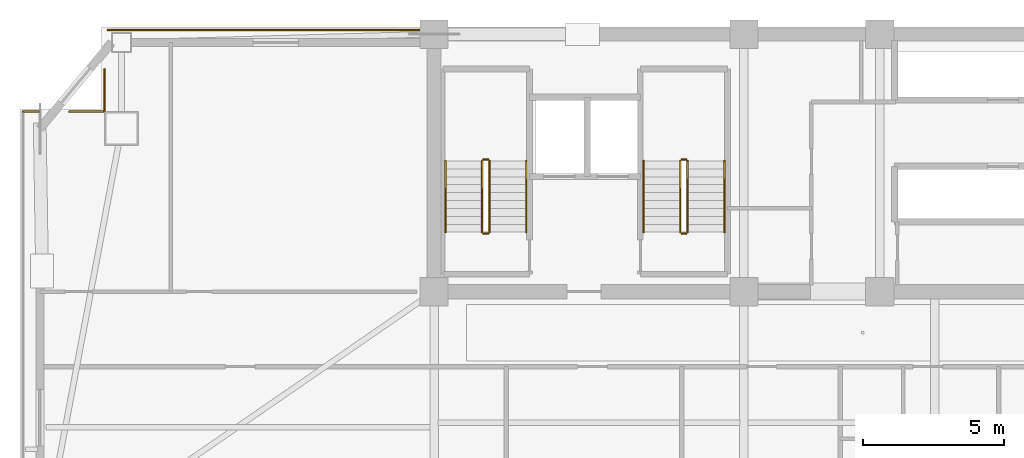
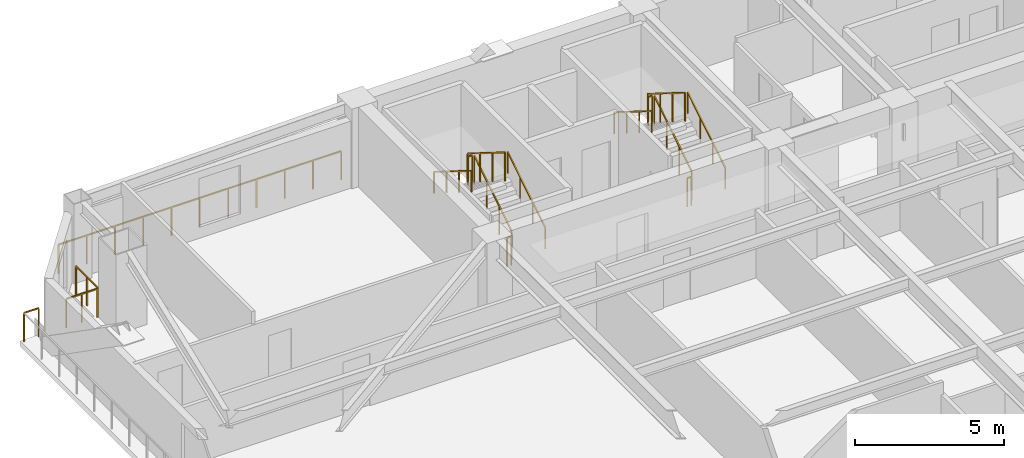
# One storey, part 14 of 15: 16 railings.
"""IFC4 building model written with IfcOpenShell, lengths in metres."""

from ifc_helpers import new_model, si_unit, direction, frame, origin, origin_2d, place, context, subcontext, project, spatial, rectangle, extrude, material, type_object, element, save


model = new_model("IFC4")

# Units and contexts
model_context = context("Model", 3, precision=1e-05, world=origin(), true_north=direction((0.0, 1.0)))
body_context = subcontext(model_context, "Body", "Model", "MODEL_VIEW")
ifc_project = project(units=[si_unit("LENGTHUNIT", "METRE"), si_unit("AREAUNIT", "SQUARE_METRE"), si_unit("VOLUMEUNIT", "CUBIC_METRE"), si_unit("PLANEANGLEUNIT", "RADIAN"), si_unit("MASSUNIT", "GRAM", prefix="KILO")], contexts=[model_context])

# Site, building, storey
site_placement = place(None, origin())
site = spatial("IfcSite", under=ifc_project, at=site_placement, CompositionType="ELEMENT")
building_placement = place(site_placement, origin())
building = spatial("IfcBuilding", under=site, at=building_placement, Name="Giltprow Tower", CompositionType="ELEMENT")
storey_placement = place(building_placement, frame((0.0, 0.0, 170.199951171875)))
storey = spatial("IfcBuildingStorey", under=building, at=storey_placement, Name="L42", CompositionType="ELEMENT", Elevation=170.199951171875)

# Railings
ifc_material = material(Name="Anodized bronze", Category="metal")
railing_type_1 = type_object("IfcRailingType", Name="RAIL-BALC-GUARD-1200", PredefinedType="BALUSTRADE", material=ifc_material)
railing_1_placement = place(storey_placement, frame((5.319091796875, 43.81298828125, 0.0)))
element("IfcRailing", 1, at=railing_1_placement, inside=storey, type_object=railing_type_1, Name="L42 Corner Apron Edge Balustrade 6", PredefinedType="BALUSTRADE", context=body_context, shape_type="SweptSolid", body=[
    extrude(rectangle(XDim=0.048095703125, YDim=0.048095703125, at=origin_2d()), frame((0.0, 0.0, 1.17578125), z_axis=(1.0, 0.0, 0.0), x_axis=(0.0, 1.0, 0.0)), (0.0, 0.0, 1.0), 0.56689453125),
    extrude(rectangle(XDim=0.0419921875, YDim=0.0419921875, at=origin_2d()), origin(), (0.0, 0.0, 1.0), 1.15185546875),
    extrude(rectangle(XDim=0.0419921875, YDim=0.0419921875, at=origin_2d()), frame((0.56689453125, 0.0, 0.0)), (0.0, 0.0, 1.0), 1.15185546875),
])
railing_2_placement = place(storey_placement, frame((6.9541015625, 43.81298828125, 0.0)))
element("IfcRailing", 2, at=railing_2_placement, inside=storey, type_object=railing_type_1, Name="L42 Corner Apron Edge Balustrade 7", PredefinedType="BALUSTRADE", context=body_context, shape_type="SweptSolid", body=[
    extrude(rectangle(XDim=0.048095703125, YDim=0.048095703125, at=origin_2d()), frame((0.0, 0.0, 1.17578125), z_axis=(1.0, 0.0, 0.0), x_axis=(0.0, 1.0, 0.0)), (0.0, 0.0, 1.0), 1.216796875),
    extrude(rectangle(XDim=0.0419921875, YDim=0.0419921875, at=origin_2d()), origin(), (0.0, 0.0, 1.0), 1.15185546875),
    extrude(rectangle(XDim=0.0419921875, YDim=0.0419921875, at=origin_2d()), frame((0.6083984375, 0.0, 0.0)), (0.0, 0.0, 1.0), 1.15185546875),
    extrude(rectangle(XDim=0.0419921875, YDim=0.0419921875, at=origin_2d()), frame((1.216796875, 0.0, 0.0)), (0.0, 0.0, 1.0), 1.15185546875),
])
railing_3_placement = place(storey_placement, frame((8.2060546875, 43.847900390625, 0.0)))
element("IfcRailing", 3, at=railing_3_placement, inside=storey, type_object=railing_type_1, Name="L42 Corner Apron Edge Balustrade 8", PredefinedType="BALUSTRADE", context=body_context, shape_type="SweptSolid", body=[
    extrude(rectangle(XDim=0.048095703125, YDim=0.048095703125, at=origin_2d()), frame((0.0, 0.0, 1.17578125), z_axis=(0.0, 1.0, 0.0), x_axis=(-1.0, 0.0, 0.0)), (0.0, 0.0, 1.0), 1.463134765625),
    extrude(rectangle(XDim=0.0419921875, YDim=0.0419921875, at=origin_2d()), origin(), (0.0, 0.0, 1.0), 1.15185546875),
    extrude(rectangle(XDim=0.0419921875, YDim=0.0419921875, at=origin_2d()), frame((0.0, 0.7314453125, 0.0)), (0.0, 0.0, 1.0), 1.15185546875),
    extrude(rectangle(XDim=0.0419921875, YDim=0.0419921875, at=origin_2d()), frame((0.0, 1.463134765625, 0.0)), (0.0, 0.0, 1.0), 1.15185546875),
])
railing_4_placement = place(storey_placement, frame((8.322998046875, 46.699951171875, 0.0)))
element("IfcRailing", 4, at=railing_4_placement, inside=storey, type_object=railing_type_1, Name="L42 Corner Apron Edge Balustrade 9", PredefinedType="BALUSTRADE", context=body_context, shape_type="SweptSolid", body=[
    extrude(rectangle(XDim=0.048095703125, YDim=0.048095703125, at=origin_2d()), frame((0.0, 0.0, 1.17578125), z_axis=(1.0, 0.0, 0.0), x_axis=(0.0, 1.0, 0.0)), (0.0, 0.0, 1.0), 10.991943359375),
    extrude(rectangle(XDim=0.0419921875, YDim=0.0419921875, at=origin_2d()), origin(), (0.0, 0.0, 1.0), 1.15185546875),
    extrude(rectangle(XDim=0.0419921875, YDim=0.0419921875, at=origin_2d()), frame((1.09912109375, 0.0, 0.0)), (0.0, 0.0, 1.0), 1.15185546875),
    extrude(rectangle(XDim=0.0419921875, YDim=0.0419921875, at=origin_2d()), frame((2.198486328125, 0.0, 0.0)), (0.0, 0.0, 1.0), 1.15185546875),
    extrude(rectangle(XDim=0.0419921875, YDim=0.0419921875, at=origin_2d()), frame((3.297607421875, 0.0, 0.0)), (0.0, 0.0, 1.0), 1.15185546875),
    extrude(rectangle(XDim=0.0419921875, YDim=0.0419921875, at=origin_2d()), frame((4.396728515625, 0.0, 0.0)), (0.0, 0.0, 1.0), 1.15185546875),
    extrude(rectangle(XDim=0.0419921875, YDim=0.0419921875, at=origin_2d()), frame((5.49609375, 0.0, 0.0)), (0.0, 0.0, 1.0), 1.15185546875),
    extrude(rectangle(XDim=0.0419921875, YDim=0.0419921875, at=origin_2d()), frame((6.59521484375, 0.0, 0.0)), (0.0, 0.0, 1.0), 1.15185546875),
    extrude(rectangle(XDim=0.0419921875, YDim=0.0419921875, at=origin_2d()), frame((7.6943359375, 0.0, 0.0)), (0.0, 0.0, 1.0), 1.15185546875),
    extrude(rectangle(XDim=0.0419921875, YDim=0.0419921875, at=origin_2d()), frame((8.79345703125, 0.0, 0.0)), (0.0, 0.0, 1.0), 1.15185546875),
    extrude(rectangle(XDim=0.0419921875, YDim=0.0419921875, at=origin_2d()), frame((9.892822265625, 0.0, 0.0)), (0.0, 0.0, 1.0), 1.15185546875),
    extrude(rectangle(XDim=0.0419921875, YDim=0.0419921875, at=origin_2d()), frame((10.991943359375, 0.0, 0.0)), (0.0, 0.0, 1.0), 1.15185546875),
])
railing_type_2 = type_object("IfcRailingType", Name="RAIL-STAIR-GUARD-1200", PredefinedType="GUARDRAIL", material=ifc_material)
railing_5_placement = place(storey_placement, frame((21.81005859375, 39.550048828125, 0.175048828125)))
element("IfcRailing", 5, at=railing_5_placement, inside=storey, type_object=railing_type_2, Name="L42 ST-1 stair guard 1", PredefinedType="GUARDRAIL", context=body_context, shape_type="SweptSolid", body=[
    extrude(rectangle(XDim=0.048095703125, YDim=0.048095703125, at=origin_2d()), frame((0.0, 0.0, 1.17578125), z_axis=(0.0, 0.848007534815, 0.529984170421), x_axis=(-1.0, 0.0, 0.0)), (0.0, 0.0, 1.0), 2.9716796875),
    extrude(rectangle(XDim=0.0419921875, YDim=0.0419921875, at=origin_2d()), origin(), (0.0, 0.0, 1.0), 1.15185546875),
    extrude(rectangle(XDim=0.0419921875, YDim=0.0419921875, at=origin_2d()), frame((0.0, 0.840087890625, 0.52490234375)), (0.0, 0.0, 1.0), 1.15185546875),
    extrude(rectangle(XDim=0.0419921875, YDim=0.0419921875, at=origin_2d()), frame((0.0, 1.679931640625, 1.050048828125)), (0.0, 0.0, 1.0), 1.15185546875),
    extrude(rectangle(XDim=0.0419921875, YDim=0.0419921875, at=origin_2d()), frame((0.0, 2.52001953125, 1.574951171875)), (0.0, 0.0, 1.0), 1.15185546875),
])
railing_6_placement = place(storey_placement, frame((21.760009765625, 42.1201171875, 1.75)))
element("IfcRailing", 6, at=railing_6_placement, inside=storey, type_object=railing_type_2, Name="L42 ST-1 stair guard 2", PredefinedType="GUARDRAIL", context=body_context, shape_type="SweptSolid", body=[
    extrude(rectangle(XDim=0.048095703125, YDim=0.048095703125, at=origin_2d()), frame((0.0, 0.0, 1.17578125), z_axis=(-1.0, 0.0, 0.0), x_axis=(0.0, -1.0, 0.0)), (0.0, 0.0, 1.0), 0.159912109375),
    extrude(rectangle(XDim=0.0419921875, YDim=0.0419921875, at=origin_2d()), origin(), (0.0, 0.0, 1.0), 1.15185546875),
    extrude(rectangle(XDim=0.0419921875, YDim=0.0419921875, at=origin_2d()), frame((-0.159912109375, 0.0, 0.0)), (0.0, 0.0, 1.0), 1.15185546875),
])
railing_7_placement = place(storey_placement, frame((21.550048828125, 42.070068359375, 1.925048828125)))
element("IfcRailing", 7, at=railing_7_placement, inside=storey, type_object=railing_type_2, Name="L42 ST-1 stair guard 3", PredefinedType="GUARDRAIL", context=body_context, shape_type="SweptSolid", body=[
    extrude(rectangle(XDim=0.048095703125, YDim=0.048095703125, at=origin_2d()), frame((0.0, 0.0, 1.17578125), z_axis=(0.0, -0.848007534815, 0.529984170421), x_axis=(1.0, 0.0, 0.0)), (0.0, 0.0, 1.0), 2.9716796875),
    extrude(rectangle(XDim=0.0419921875, YDim=0.0419921875, at=origin_2d()), origin(), (0.0, 0.0, 1.0), 1.15185546875),
    extrude(rectangle(XDim=0.0419921875, YDim=0.0419921875, at=origin_2d()), frame((0.0, -0.840087890625, 0.52490234375)), (0.0, 0.0, 1.0), 1.15185546875),
    extrude(rectangle(XDim=0.0419921875, YDim=0.0419921875, at=origin_2d()), frame((0.0, -1.679931640625, 1.050048828125)), (0.0, 0.0, 1.0), 1.15185546875),
    extrude(rectangle(XDim=0.0419921875, YDim=0.0419921875, at=origin_2d()), frame((0.0, -2.52001953125, 1.574951171875)), (0.0, 0.0, 1.0), 1.15185546875),
])
railing_8_placement = place(storey_placement, frame((21.760009765625, 39.5, 0.0)))
element("IfcRailing", 8, at=railing_8_placement, inside=storey, type_object=railing_type_2, Name="L42 ST-1 stair guard 4", PredefinedType="GUARDRAIL", context=body_context, shape_type="SweptSolid", body=[
    extrude(rectangle(XDim=0.048095703125, YDim=0.048095703125, at=origin_2d()), frame((0.0, 0.0, 1.17578125), z_axis=(-1.0, 0.0, 0.0), x_axis=(0.0, -1.0, 0.0)), (0.0, 0.0, 1.0), 0.159912109375),
    extrude(rectangle(XDim=0.0419921875, YDim=0.0419921875, at=origin_2d()), origin(), (0.0, 0.0, 1.0), 1.15185546875),
    extrude(rectangle(XDim=0.0419921875, YDim=0.0419921875, at=origin_2d()), frame((-0.159912109375, 0.0, 0.0)), (0.0, 0.0, 1.0), 1.15185546875),
])
railing_9_placement = place(storey_placement, frame((28.81005859375, 39.550048828125, 0.175048828125)))
element("IfcRailing", 9, at=railing_9_placement, inside=storey, type_object=railing_type_2, Name="L42 ST-2 stair guard 1", PredefinedType="GUARDRAIL", context=body_context, shape_type="SweptSolid", body=[
    extrude(rectangle(XDim=0.048095703125, YDim=0.048095703125, at=origin_2d()), frame((0.0, 0.0, 1.17578125), z_axis=(0.0, 0.848007534815, 0.529984170421), x_axis=(-1.0, 0.0, 0.0)), (0.0, 0.0, 1.0), 2.9716796875),
    extrude(rectangle(XDim=0.0419921875, YDim=0.0419921875, at=origin_2d()), origin(), (0.0, 0.0, 1.0), 1.15185546875),
    extrude(rectangle(XDim=0.0419921875, YDim=0.0419921875, at=origin_2d()), frame((0.0, 0.840087890625, 0.52490234375)), (0.0, 0.0, 1.0), 1.15185546875),
    extrude(rectangle(XDim=0.0419921875, YDim=0.0419921875, at=origin_2d()), frame((0.0, 1.679931640625, 1.050048828125)), (0.0, 0.0, 1.0), 1.15185546875),
    extrude(rectangle(XDim=0.0419921875, YDim=0.0419921875, at=origin_2d()), frame((0.0, 2.52001953125, 1.574951171875)), (0.0, 0.0, 1.0), 1.15185546875),
])
railing_10_placement = place(storey_placement, frame((28.760009765625, 42.1201171875, 1.75)))
element("IfcRailing", 10, at=railing_10_placement, inside=storey, type_object=railing_type_2, Name="L42 ST-2 stair guard 2", PredefinedType="GUARDRAIL", context=body_context, shape_type="SweptSolid", body=[
    extrude(rectangle(XDim=0.048095703125, YDim=0.048095703125, at=origin_2d()), frame((0.0, 0.0, 1.17578125), z_axis=(-1.0, 0.0, 0.0), x_axis=(0.0, -1.0, 0.0)), (0.0, 0.0, 1.0), 0.159912109375),
    extrude(rectangle(XDim=0.0419921875, YDim=0.0419921875, at=origin_2d()), origin(), (0.0, 0.0, 1.0), 1.15185546875),
    extrude(rectangle(XDim=0.0419921875, YDim=0.0419921875, at=origin_2d()), frame((-0.159912109375, 0.0, 0.0)), (0.0, 0.0, 1.0), 1.15185546875),
])
railing_11_placement = place(storey_placement, frame((28.550048828125, 42.070068359375, 1.925048828125)))
element("IfcRailing", 11, at=railing_11_placement, inside=storey, type_object=railing_type_2, Name="L42 ST-2 stair guard 3", PredefinedType="GUARDRAIL", context=body_context, shape_type="SweptSolid", body=[
    extrude(rectangle(XDim=0.048095703125, YDim=0.048095703125, at=origin_2d()), frame((0.0, 0.0, 1.17578125), z_axis=(0.0, -0.848007534815, 0.529984170421), x_axis=(1.0, 0.0, 0.0)), (0.0, 0.0, 1.0), 2.9716796875),
    extrude(rectangle(XDim=0.0419921875, YDim=0.0419921875, at=origin_2d()), origin(), (0.0, 0.0, 1.0), 1.15185546875),
    extrude(rectangle(XDim=0.0419921875, YDim=0.0419921875, at=origin_2d()), frame((0.0, -0.840087890625, 0.52490234375)), (0.0, 0.0, 1.0), 1.15185546875),
    extrude(rectangle(XDim=0.0419921875, YDim=0.0419921875, at=origin_2d()), frame((0.0, -1.679931640625, 1.050048828125)), (0.0, 0.0, 1.0), 1.15185546875),
    extrude(rectangle(XDim=0.0419921875, YDim=0.0419921875, at=origin_2d()), frame((0.0, -2.52001953125, 1.574951171875)), (0.0, 0.0, 1.0), 1.15185546875),
])
railing_12_placement = place(storey_placement, frame((28.760009765625, 39.5, 0.0)))
element("IfcRailing", 12, at=railing_12_placement, inside=storey, type_object=railing_type_2, Name="L42 ST-2 stair guard 4", PredefinedType="GUARDRAIL", context=body_context, shape_type="SweptSolid", body=[
    extrude(rectangle(XDim=0.048095703125, YDim=0.048095703125, at=origin_2d()), frame((0.0, 0.0, 1.17578125), z_axis=(-1.0, 0.0, 0.0), x_axis=(0.0, -1.0, 0.0)), (0.0, 0.0, 1.0), 0.159912109375),
    extrude(rectangle(XDim=0.0419921875, YDim=0.0419921875, at=origin_2d()), origin(), (0.0, 0.0, 1.0), 1.15185546875),
    extrude(rectangle(XDim=0.0419921875, YDim=0.0419921875, at=origin_2d()), frame((-0.159912109375, 0.0, 0.0)), (0.0, 0.0, 1.0), 1.15185546875),
])
railing_type_3 = type_object("IfcRailingType", Name="RAIL-STAIR-HAND-900", PredefinedType="HANDRAIL", material=ifc_material)
railing_13_placement = place(storey_placement, frame((23.110107421875, 39.550048828125, 0.175048828125)))
element("IfcRailing", 13, at=railing_13_placement, inside=storey, type_object=railing_type_3, Name="L42 ST-1 stair handrail 1", PredefinedType="HANDRAIL", context=body_context, shape_type="SweptSolid", body=[
    extrude(rectangle(XDim=0.048095703125, YDim=0.048095703125, at=origin_2d()), frame((0.0, 0.0, 0.8759765625), z_axis=(0.0, 0.848007534815, 0.529984170421), x_axis=(-1.0, 0.0, 0.0)), (0.0, 0.0, 1.0), 2.9716796875),
    extrude(rectangle(XDim=0.0419921875, YDim=0.0419921875, at=origin_2d()), origin(), (0.0, 0.0, 1.0), 0.851806640625),
    extrude(rectangle(XDim=0.0419921875, YDim=0.0419921875, at=origin_2d()), frame((0.0, 0.840087890625, 0.52490234375)), (0.0, 0.0, 1.0), 0.851806640625),
    extrude(rectangle(XDim=0.0419921875, YDim=0.0419921875, at=origin_2d()), frame((0.0, 1.679931640625, 1.050048828125)), (0.0, 0.0, 1.0), 0.851806640625),
    extrude(rectangle(XDim=0.0419921875, YDim=0.0419921875, at=origin_2d()), frame((0.0, 2.52001953125, 1.574951171875)), (0.0, 0.0, 1.0), 0.851806640625),
])
railing_14_placement = place(storey_placement, frame((20.25, 42.070068359375, 1.925048828125)))
element("IfcRailing", 14, at=railing_14_placement, inside=storey, type_object=railing_type_3, Name="L42 ST-1 stair handrail 2", PredefinedType="HANDRAIL", context=body_context, shape_type="SweptSolid", body=[
    extrude(rectangle(XDim=0.048095703125, YDim=0.048095703125, at=origin_2d()), frame((0.0, 0.0, 0.8759765625), z_axis=(0.0, -0.848007534815, 0.529984170421), x_axis=(1.0, 0.0, 0.0)), (0.0, 0.0, 1.0), 2.9716796875),
    extrude(rectangle(XDim=0.0419921875, YDim=0.0419921875, at=origin_2d()), origin(), (0.0, 0.0, 1.0), 0.851806640625),
    extrude(rectangle(XDim=0.0419921875, YDim=0.0419921875, at=origin_2d()), frame((0.0, -0.840087890625, 0.52490234375)), (0.0, 0.0, 1.0), 0.851806640625),
    extrude(rectangle(XDim=0.0419921875, YDim=0.0419921875, at=origin_2d()), frame((0.0, -1.679931640625, 1.050048828125)), (0.0, 0.0, 1.0), 0.851806640625),
    extrude(rectangle(XDim=0.0419921875, YDim=0.0419921875, at=origin_2d()), frame((0.0, -2.52001953125, 1.574951171875)), (0.0, 0.0, 1.0), 0.851806640625),
])
railing_15_placement = place(storey_placement, frame((30.110107421875, 39.550048828125, 0.175048828125)))
element("IfcRailing", 15, at=railing_15_placement, inside=storey, type_object=railing_type_3, Name="L42 ST-2 stair handrail 1", PredefinedType="HANDRAIL", context=body_context, shape_type="SweptSolid", body=[
    extrude(rectangle(XDim=0.048095703125, YDim=0.048095703125, at=origin_2d()), frame((0.0, 0.0, 0.8759765625), z_axis=(0.0, 0.848007534815, 0.529984170421), x_axis=(-1.0, 0.0, 0.0)), (0.0, 0.0, 1.0), 2.9716796875),
    extrude(rectangle(XDim=0.0419921875, YDim=0.0419921875, at=origin_2d()), origin(), (0.0, 0.0, 1.0), 0.851806640625),
    extrude(rectangle(XDim=0.0419921875, YDim=0.0419921875, at=origin_2d()), frame((0.0, 0.840087890625, 0.52490234375)), (0.0, 0.0, 1.0), 0.851806640625),
    extrude(rectangle(XDim=0.0419921875, YDim=0.0419921875, at=origin_2d()), frame((0.0, 1.679931640625, 1.050048828125)), (0.0, 0.0, 1.0), 0.851806640625),
    extrude(rectangle(XDim=0.0419921875, YDim=0.0419921875, at=origin_2d()), frame((0.0, 2.52001953125, 1.574951171875)), (0.0, 0.0, 1.0), 0.851806640625),
])
railing_16_placement = place(storey_placement, frame((27.25, 42.070068359375, 1.925048828125)))
element("IfcRailing", 16, at=railing_16_placement, inside=storey, type_object=railing_type_3, Name="L42 ST-2 stair handrail 2", PredefinedType="HANDRAIL", context=body_context, shape_type="SweptSolid", body=[
    extrude(rectangle(XDim=0.048095703125, YDim=0.048095703125, at=origin_2d()), frame((0.0, 0.0, 0.8759765625), z_axis=(0.0, -0.848007534815, 0.529984170421), x_axis=(1.0, 0.0, 0.0)), (0.0, 0.0, 1.0), 2.9716796875),
    extrude(rectangle(XDim=0.0419921875, YDim=0.0419921875, at=origin_2d()), origin(), (0.0, 0.0, 1.0), 0.851806640625),
    extrude(rectangle(XDim=0.0419921875, YDim=0.0419921875, at=origin_2d()), frame((0.0, -0.840087890625, 0.52490234375)), (0.0, 0.0, 1.0), 0.851806640625),
    extrude(rectangle(XDim=0.0419921875, YDim=0.0419921875, at=origin_2d()), frame((0.0, -1.679931640625, 1.050048828125)), (0.0, 0.0, 1.0), 0.851806640625),
    extrude(rectangle(XDim=0.0419921875, YDim=0.0419921875, at=origin_2d()), frame((0.0, -2.52001953125, 1.574951171875)), (0.0, 0.0, 1.0), 0.851806640625),
])

save(model, "model.ifc")
